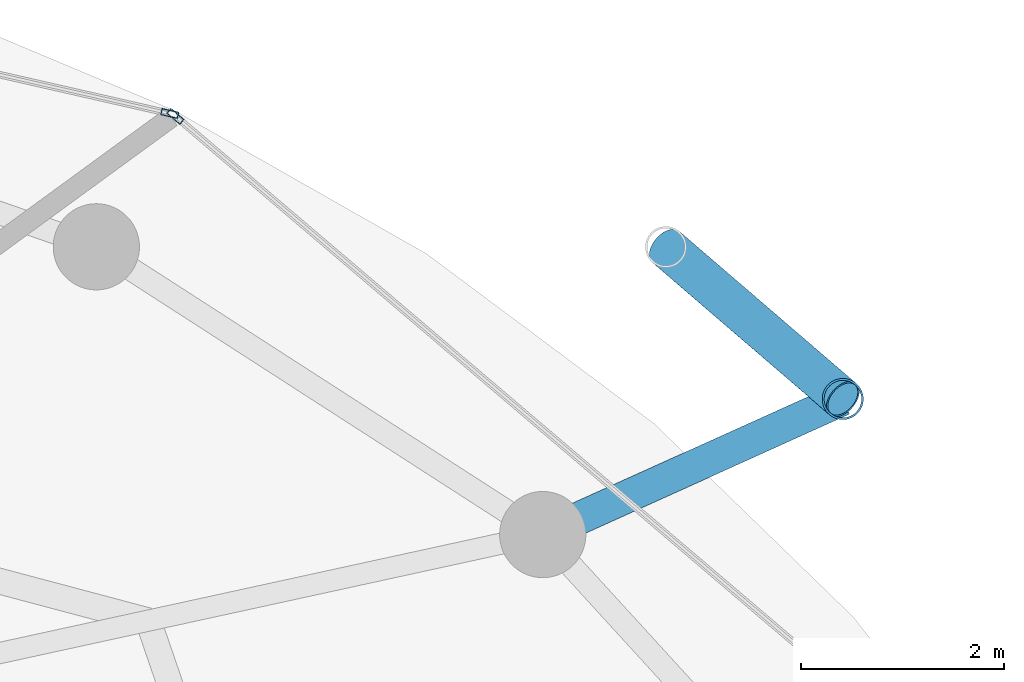
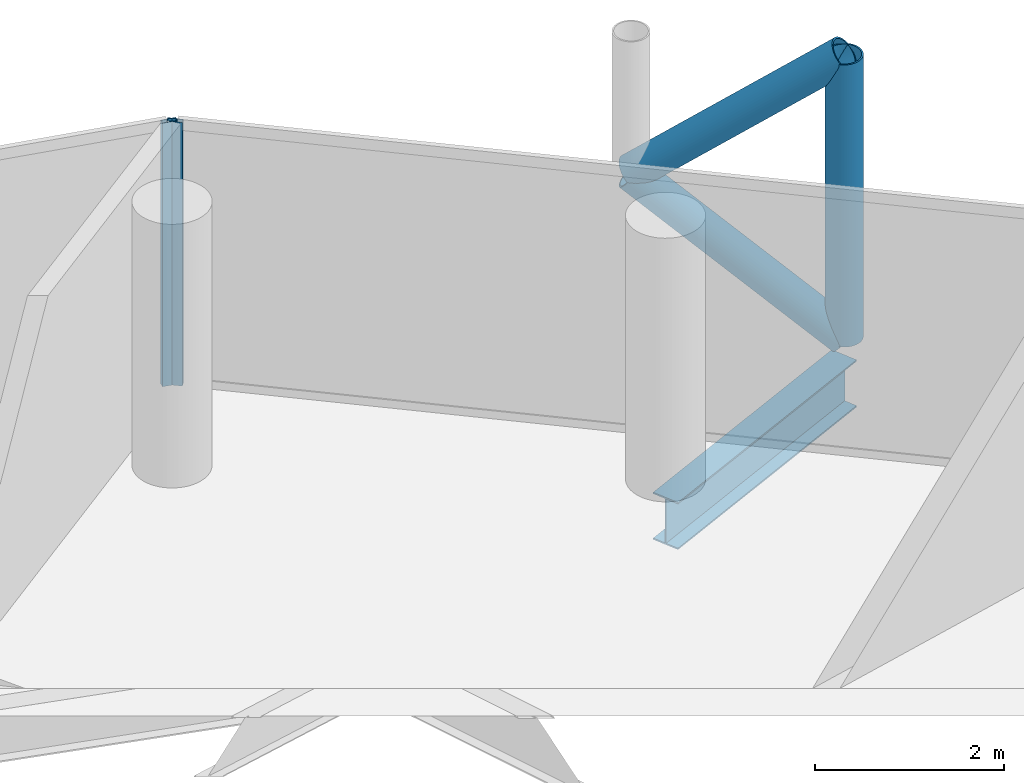
# One storey, part 21 of 27: 5 members, 1 beam, 2 elements without a shape of their own.
"""IFC4 building model written with IfcOpenShell, lengths in metres."""

from ifc_helpers import new_model, si_unit, direction, frame, origin, origin_2d, place, context, subcontext, project, spatial, hollow_rectangle, hollow_circle, i_section, extrude, material, layer, layer_set, material_profile, profile_set, type_object, element, aggregate, save


model = new_model("IFC4")

# Units and contexts
model_context = context("Model", 3, precision=1e-05, world=origin(), true_north=direction((0.0, 1.0)))
body_context = subcontext(model_context, "Body", "Model", "MODEL_VIEW")
ifc_project = project(units=[si_unit("LENGTHUNIT", "METRE"), si_unit("AREAUNIT", "SQUARE_METRE"), si_unit("VOLUMEUNIT", "CUBIC_METRE"), si_unit("PLANEANGLEUNIT", "RADIAN"), si_unit("MASSUNIT", "GRAM", prefix="KILO")], contexts=[model_context])

# Site, building, storey
site_placement = place(None, origin())
site = spatial("IfcSite", under=ifc_project, at=site_placement, CompositionType="ELEMENT")
building_placement = place(site_placement, origin())
building = spatial("IfcBuilding", under=site, at=building_placement, Name="Nuhasar Tower", CompositionType="ELEMENT")
storey_placement = place(building_placement, frame((0.0, 0.0, 219.10009765625)))
storey = spatial("IfcBuildingStorey", under=building, at=storey_placement, Name="L53", CompositionType="ELEMENT", Elevation=219.10009765625)

# Beam
ifc_material_1 = material(Name="Steel S355", Category="steel")
ifc_material_profile_1 = material_profile(ifc_material_1, i_section(OverallWidth=0.323974609375, OverallDepth=0.611083984375, WebThickness=0.0126953125, FlangeThickness=0.01904296875, at=origin_2d()), Name="W24X104")
ifc_profile_set_1 = profile_set([ifc_material_profile_1], Name="Steel S355")
beam_type = type_object("IfcBeamType", Name="BM-TIE-W24X104", PredefinedType="BEAM", material=ifc_profile_set_1)
beam_placement = place(storey_placement, frame((54.02587890625, 39.422119140625, -0.545166015625), z_axis=(0.911363318082, 0.411602845538, 0.0), x_axis=(-0.411602845538, 0.911363318082, 0.0)))
element("IfcBeam", 1, at=beam_placement, inside=storey, type_object=beam_type, Name="L53 Exoskeleton Node Tie Beam 02", PredefinedType="BEAM", context=body_context, shape_type="SweptSolid", body=[
    extrude(i_section(OverallWidth=0.323974609375, OverallDepth=0.611083984375, WebThickness=0.0126953125, FlangeThickness=0.01904296875, at=origin_2d()), origin(), (0.0, 0.0, 1.0), 3.24560546875),
])

# Curtain wall, member
ifc_material_2 = material(Name="Aluminium 6063-T6", Category="aluminium")
ifc_layer = layer(ifc_material_2, 0.18994140625)
ifc_layer_set = layer_set([ifc_layer], Name="Aluminium 6063-T6")
curtain_wall_type = type_object("IfcCurtainWallType", Name="CW-Z3-RES", PredefinedType="NOTDEFINED", material=ifc_layer_set)
curtain_wall_1_placement = place(storey_placement, origin())
curtain_wall_1 = element("IfcCurtainWall", 2, at=curtain_wall_1_placement, inside=storey, type_object=curtain_wall_type, Name="L53 Unitised Curtain Wall 02", PredefinedType="NOTDEFINED")
ifc_material_profile_2 = material_profile(ifc_material_2, hollow_rectangle(XDim=0.06494140625, YDim=0.169921875, WallThickness=0.0048828125, at=origin_2d()), Name="CWM-4")
ifc_profile_set_2 = profile_set([ifc_material_profile_2], Name="Aluminium 6063-T6")
member_type_1 = type_object("IfcMemberType", Name="CW-MUL-S4", PredefinedType="MULLION", material=ifc_profile_set_2)
member_1_placement = place(storey_placement, frame((50.40478515625, 43.544921875, 0.0), z_axis=(0.0, 0.0, 1.0), x_axis=(-0.64789521578, -0.761729472562, 0.0)))
member_1 = element("IfcMember", 3, at=member_1_placement, type_object=member_type_1, Name="CW-Z3 mullion 2", PredefinedType="MULLION", context=body_context, shape_type="SweptSolid", body=[
    extrude(hollow_rectangle(XDim=0.06494140625, YDim=0.169921875, WallThickness=0.0048828125, at=origin_2d()), origin(), (0.0, 0.0, 1.0), 3.409912109375),
])
aggregate(curtain_wall_1, [member_1])

curtain_wall_2_placement = place(storey_placement, origin())
curtain_wall_2 = element("IfcCurtainWall", 4, at=curtain_wall_2_placement, inside=storey, type_object=curtain_wall_type, Name="L53 Unitised Curtain Wall 03", PredefinedType="NOTDEFINED")
member_2_placement = place(storey_placement, frame((50.348388671875, 43.5732421875, 0.0), z_axis=(0.0, 0.0, 1.0), x_axis=(-0.222243176313, -0.974991266926, 0.0)))
member_2 = element("IfcMember", 5, at=member_2_placement, type_object=member_type_1, Name="CW-Z3 mullion 1", PredefinedType="MULLION", context=body_context, shape_type="SweptSolid", body=[
    extrude(hollow_rectangle(XDim=0.06494140625, YDim=0.169921875, WallThickness=0.0048828125, at=origin_2d()), origin(), (0.0, 0.0, 1.0), 3.409912109375),
])
aggregate(curtain_wall_2, [member_2])

# Members
ifc_material_3 = material(Name="Steel S460", Category="steel")
ifc_material_profile_3 = material_profile(ifc_material_3, hollow_circle(Radius=0.203125, WallThickness=0.01904296875, at=origin_2d()), Name="HSS406.4X19.1")
ifc_profile_set_3 = profile_set([ifc_material_profile_3], Name="Steel S460")
member_type_2 = type_object("IfcMemberType", Name="EXO-BRONZE-406", PredefinedType="BRACE", material=ifc_profile_set_3)
member_3_placement = place(storey_placement, frame((56.98388671875, 40.758056640625, 0.0), z_axis=(0.0, 0.0, 1.0), x_axis=(1.0, 0.0, 0.0)))
element("IfcMember", 6, at=member_3_placement, inside=storey, type_object=member_type_2, Name="L53 Exoskeleton Chord Column EC-02A", PredefinedType="BRACE", context=body_context, shape_type="SweptSolid", body=[
    extrude(hollow_circle(Radius=0.203125, WallThickness=0.01904296875, at=origin_2d()), origin(), (0.0, 0.0, 1.0), 3.64990234375),
])
for number, where, z_axis, x_axis, name in (
    (7, (56.98388671875, 40.758056640625, 0.0), (-0.594018535389, 0.510608120858, 0.621627964725), (-0.65185738425, -0.758341579104, 0.0), "L53 Bronze Diagrid Brace W1-02"),
    (8, (55.239990234375, 42.257080078125, 1.824951171875), (0.594018535389, -0.510608120858, 0.621627964725), (0.65185738425, 0.758341579104, 0.0), "L53 Bronze Diagrid Brace W2-02"),
):
    element("IfcMember", number, at=place(storey_placement, frame(where, z_axis=z_axis, x_axis=x_axis)), inside=storey, type_object=member_type_2, Name=name, PredefinedType="BRACE", context=body_context, shape_type="SweptSolid", body=[
        extrude(hollow_circle(Radius=0.203125, WallThickness=0.01904296875, at=origin_2d()), origin(), (0.0, 0.0, 1.0), 2.935791015625),
    ])

save(model, "model.ifc")
